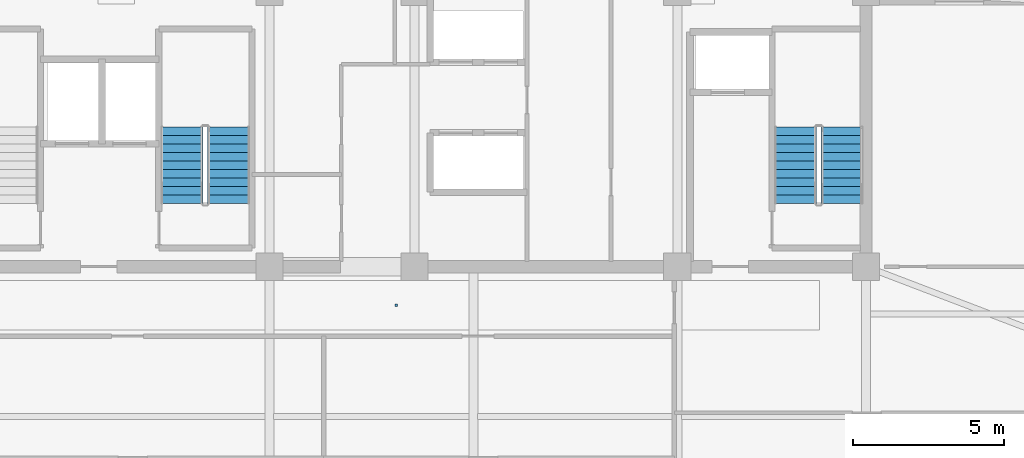
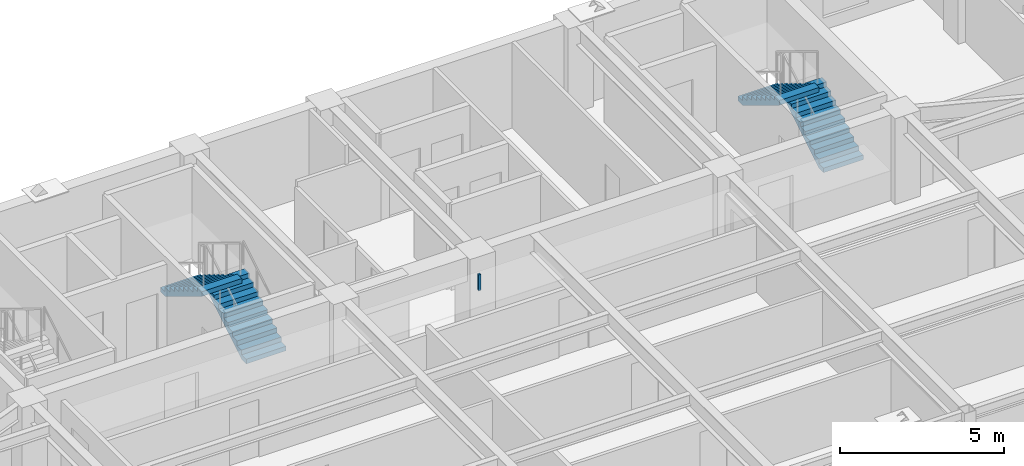
# One storey, part 9 of 13: 4 stair flights, 1 discrete accessory, 2 elements without a shape of their own.
"""IFC4 building model written with IfcOpenShell, lengths in metres."""

from ifc_helpers import new_model, si_unit, direction, frame, origin, origin_2d, place, context, subcontext, project, spatial, polyline, rectangle, outline, extrude, source, transform, mapped, material, type_object, element, aggregate, save


model = new_model("IFC4")

# Units and contexts
model_context = context("Model", 3, precision=1e-05, world=origin(), true_north=direction((0.0, 1.0)))
body_context = subcontext(model_context, "Body", "Model", "MODEL_VIEW")
ifc_project = project(units=[si_unit("LENGTHUNIT", "METRE"), si_unit("AREAUNIT", "SQUARE_METRE"), si_unit("VOLUMEUNIT", "CUBIC_METRE"), si_unit("PLANEANGLEUNIT", "RADIAN"), si_unit("MASSUNIT", "GRAM", prefix="KILO")], contexts=[model_context])

# Site, building, storey
site_placement = place(None, origin())
site = spatial("IfcSite", under=ifc_project, at=site_placement, CompositionType="ELEMENT")
building_placement = place(site_placement, origin())
building = spatial("IfcBuilding", under=site, at=building_placement, Name="Giltprow Tower", CompositionType="ELEMENT")
storey_placement = place(building_placement, frame((0.0, 0.0, 335.699951171875)))
storey = spatial("IfcBuildingStorey", under=building, at=storey_placement, Name="L87", CompositionType="ELEMENT", Elevation=335.699951171875)

# Stair, stair flights
ifc_material_1 = material(Name="Concrete C40", Category="concrete")
stair_type_1 = type_object("IfcStairType", Name="STR-ST-2", PredefinedType="HALF_TURN_STAIR", material=ifc_material_1)
stair_1_placement = place(storey_placement, origin())
stair_1 = element("IfcStair", 1, at=stair_1_placement, inside=storey, type_object=stair_type_1, Name="L87 Core Exit Stair ST-2", PredefinedType="HALF_TURN_STAIR")
stair_flight_type_1 = type_object("IfcStairFlightType", Name="SFL-ST-2", PredefinedType="STRAIGHT", material=ifc_material_1)
stair_flight_1_placement = place(storey_placement, frame((29.4599609375, 39.550048828125, 0.0), z_axis=(0.0, 0.0, 1.0), x_axis=(0.0, 1.0, 0.0)))
stair_flight_1 = element("IfcStairFlight", 2, at=stair_flight_1_placement, type_object=stair_flight_type_1, Name="ST-2 flight 1", NumberOfRisers=10, NumberOfTreads=9, PredefinedType="STRAIGHT", RiserHeight=0.17, TreadLength=0.28, context=body_context, shape_type="SweptSolid", body=[
    extrude(outline(polyline([(0.0, 0.0), (0.0, 0.169921875), (0.280029296875, 0.169921875), (0.280029296875, 0.340087890625), (0.56005859375, 0.340087890625), (0.56005859375, 0.510009765625), (0.840087890625, 0.510009765625), (0.840087890625, 0.679931640625), (1.1201171875, 0.679931640625), (1.1201171875, 0.85009765625), (1.39990234375, 0.85009765625), (1.39990234375, 1.02001953125), (1.679931640625, 1.02001953125), (1.679931640625, 1.18994140625), (1.9599609375, 1.18994140625), (1.9599609375, 1.360107421875), (2.239990234375, 1.360107421875), (2.239990234375, 1.530029296875), (2.52001953125, 1.530029296875), (2.52001953125, 1.699951171875), (2.52001953125, 1.354736328125), (0.288818359375, 0.0), (0.0, 0.0)])), frame((0.0, 0.699951171875, 0.0), z_axis=(0.0, -1.0, 0.0), x_axis=(1.0, 0.0, 0.0)), (0.0, 0.0, 1.0), 1.39990234375),
])
stair_flight_2_placement = place(storey_placement, frame((27.89990234375, 42.070068359375, 1.699951171875), z_axis=(0.0, 0.0, 1.0), x_axis=(0.0, -1.0, 0.0)))
stair_flight_2 = element("IfcStairFlight", 3, at=stair_flight_2_placement, type_object=stair_flight_type_1, Name="ST-2 flight 2", NumberOfRisers=10, NumberOfTreads=9, PredefinedType="STRAIGHT", RiserHeight=0.17, TreadLength=0.28, context=body_context, shape_type="SweptSolid", body=[
    extrude(outline(polyline([(0.0, 0.0), (0.0, 0.169921875), (0.280029296875, 0.169921875), (0.280029296875, 0.340087890625), (0.56005859375, 0.340087890625), (0.56005859375, 0.510009765625), (0.840087890625, 0.510009765625), (0.840087890625, 0.679931640625), (1.1201171875, 0.679931640625), (1.1201171875, 0.85009765625), (1.39990234375, 0.85009765625), (1.39990234375, 1.02001953125), (1.679931640625, 1.02001953125), (1.679931640625, 1.18994140625), (1.9599609375, 1.18994140625), (1.9599609375, 1.360107421875), (2.239990234375, 1.360107421875), (2.239990234375, 1.530029296875), (2.52001953125, 1.530029296875), (2.52001953125, 1.699951171875), (2.52001953125, 1.354736328125), (0.288818359375, 0.0), (0.0, 0.0)])), frame((0.0, 0.699951171875, 0.0), z_axis=(0.0, -1.0, 0.0), x_axis=(1.0, 0.0, 0.0)), (0.0, 0.0, 1.0), 1.39990234375),
])
aggregate(stair_1, [stair_flight_1, stair_flight_2])

stair_type_2 = type_object("IfcStairType", Name="STR-ST-3", PredefinedType="HALF_TURN_STAIR", material=ifc_material_1)
stair_2_placement = place(storey_placement, origin())
stair_2 = element("IfcStair", 4, at=stair_2_placement, inside=storey, type_object=stair_type_2, Name="L87 Core Exit Stair ST-3", PredefinedType="HALF_TURN_STAIR")
stair_flight_type_2 = type_object("IfcStairFlightType", Name="SFL-ST-3", PredefinedType="STRAIGHT", material=ifc_material_1)
stair_flight_3_placement = place(storey_placement, frame((49.760009765625, 39.550048828125, 0.0), z_axis=(0.0, 0.0, 1.0), x_axis=(0.0, 1.0, 0.0)))
stair_flight_3 = element("IfcStairFlight", 5, at=stair_flight_3_placement, type_object=stair_flight_type_2, Name="ST-3 flight 1", NumberOfRisers=10, NumberOfTreads=9, PredefinedType="STRAIGHT", RiserHeight=0.17, TreadLength=0.28, context=body_context, shape_type="SweptSolid", body=[
    extrude(outline(polyline([(0.0, 0.0), (0.0, 0.169921875), (0.280029296875, 0.169921875), (0.280029296875, 0.340087890625), (0.56005859375, 0.340087890625), (0.56005859375, 0.510009765625), (0.840087890625, 0.510009765625), (0.840087890625, 0.679931640625), (1.1201171875, 0.679931640625), (1.1201171875, 0.85009765625), (1.39990234375, 0.85009765625), (1.39990234375, 1.02001953125), (1.679931640625, 1.02001953125), (1.679931640625, 1.18994140625), (1.9599609375, 1.18994140625), (1.9599609375, 1.360107421875), (2.239990234375, 1.360107421875), (2.239990234375, 1.530029296875), (2.52001953125, 1.530029296875), (2.52001953125, 1.699951171875), (2.52001953125, 1.354736328125), (0.288818359375, 0.0), (0.0, 0.0)])), frame((0.0, 0.699951171875, 0.0), z_axis=(0.0, -1.0, 0.0), x_axis=(1.0, 0.0, 0.0)), (0.0, 0.0, 1.0), 1.39990234375),
])
stair_flight_4_placement = place(storey_placement, frame((48.199951171875, 42.070068359375, 1.699951171875), z_axis=(0.0, 0.0, 1.0), x_axis=(0.0, -1.0, 0.0)))
stair_flight_4 = element("IfcStairFlight", 6, at=stair_flight_4_placement, type_object=stair_flight_type_2, Name="ST-3 flight 2", NumberOfRisers=10, NumberOfTreads=9, PredefinedType="STRAIGHT", RiserHeight=0.17, TreadLength=0.28, context=body_context, shape_type="SweptSolid", body=[
    extrude(outline(polyline([(0.0, 0.0), (0.0, 0.169921875), (0.280029296875, 0.169921875), (0.280029296875, 0.340087890625), (0.56005859375, 0.340087890625), (0.56005859375, 0.510009765625), (0.840087890625, 0.510009765625), (0.840087890625, 0.679931640625), (1.1201171875, 0.679931640625), (1.1201171875, 0.85009765625), (1.39990234375, 0.85009765625), (1.39990234375, 1.02001953125), (1.679931640625, 1.02001953125), (1.679931640625, 1.18994140625), (1.9599609375, 1.18994140625), (1.9599609375, 1.360107421875), (2.239990234375, 1.360107421875), (2.239990234375, 1.530029296875), (2.52001953125, 1.530029296875), (2.52001953125, 1.699951171875), (2.52001953125, 1.354736328125), (0.288818359375, 0.0), (0.0, 0.0)])), frame((0.0, 0.699951171875, 0.0), z_axis=(0.0, -1.0, 0.0), x_axis=(1.0, 0.0, 0.0)), (0.0, 0.0, 1.0), 1.39990234375),
])
aggregate(stair_2, [stair_flight_3, stair_flight_4])

# Discrete accessory
ifc_material_2 = material(Name="Structural steel Q355B", Category="steel")
discrete_accessory_type = type_object("IfcDiscreteAccessoryType", Name="ACC-CLG-HANGER", PredefinedType="BRACKET", material=ifc_material_2)
shared_shape = source(origin(), body_context, "Body", "SweptSolid", [
    extrude(rectangle(XDim=0.080078125, YDim=0.080078125, at=origin_2d()), origin(), (0.0, 0.0, 1.0), 0.5849609375),
])
discrete_accessory_placement = place(storey_placement, frame((35.0, 36.175048828125, 2.61962890625), z_axis=(0.0, 0.0, 1.0), x_axis=(1.0, 0.0, 0.0)))
element("IfcDiscreteAccessory", 7, at=discrete_accessory_placement, inside=storey, type_object=discrete_accessory_type, Name="L87 Residence Gallery Ceiling Suspension Hanger", PredefinedType="BRACKET", context=body_context, shape_type="MappedRepresentation", body=[
    mapped(shared_shape, transform((0.0, 0.0, 0.0), x_axis=(1.0, 0.0, 0.0), y_axis=(0.0, 1.0, 0.0), z_axis=(0.0, 0.0, 1.0), scale=1.0)),
])

save(model, "model.ifc")
